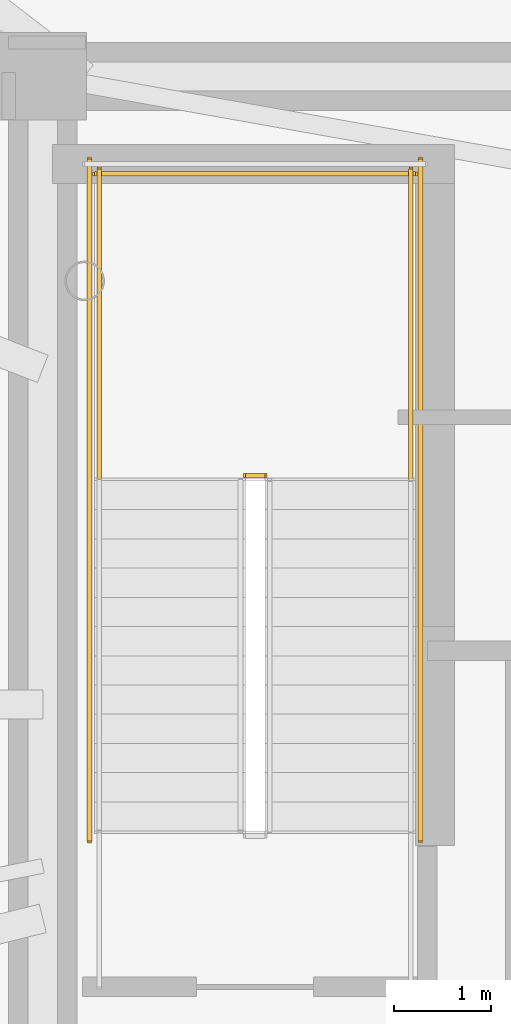
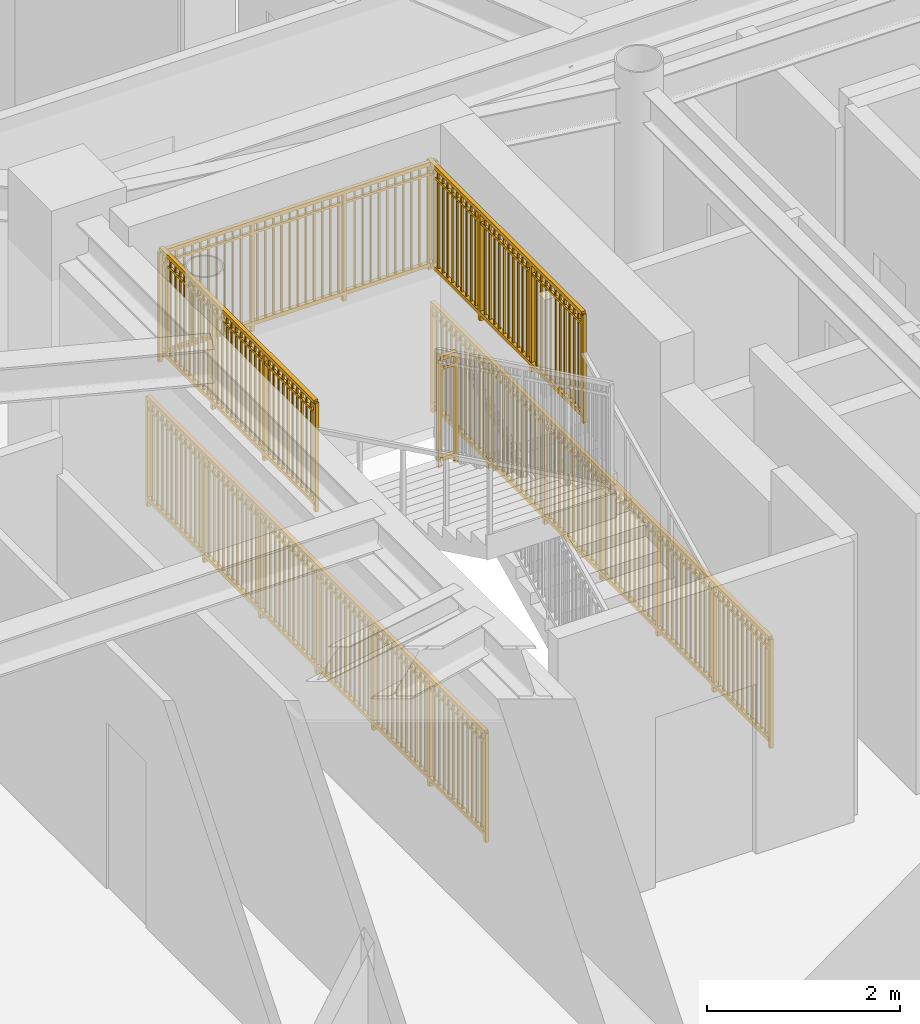
# One storey, part 15 of 17: 6 railings.
"""IFC4 building model written with IfcOpenShell, lengths in metres."""

import ifcopenshell
import ifcopenshell.guid

model = None  # the IFC model being written
_history = None  # IfcOwnerHistory: only IFC2X3 demands one
_inside = {}  # id of a spatial element -> (the spatial element, [elements in it])
_under = {}  # id of a project, library or spatial element -> (it, [spatial elements below it])
_declared = {}  # id of a project -> (the project, [libraries it declares])
_typed = {}  # id of a type object -> (the type object, [elements of that type])
_made_of = {}  # id of a material, layer set ... -> (it, [elements and type objects made of it])


def new_model(schema):
    """Start an empty IFC model of exactly this schema.

    Asked for "IFC4X3", IfcOpenShell would pick the latest addendum, in which some entities
    have other attributes; the version numbers below select the first issue.
    IFC2X3 requires an IfcOwnerHistory on every rooted entity: one is made here for all.
    """
    global model, _history
    if schema == "IFC4X3":
        model = ifcopenshell.file(schema_version=(4, 3, 0, 0))
    else:
        model = ifcopenshell.file(schema=schema)
    _inside.clear()
    _under.clear()
    _declared.clear()
    _typed.clear()
    _made_of.clear()
    _history = None
    if model.schema == "IFC2X3":
        org = make("IfcOrganization", Name="unknown")
        user = make(
            "IfcPersonAndOrganization",
            ThePerson=make("IfcPerson", FamilyName="unknown"),
            TheOrganization=org,
        )
        app = make(
            "IfcApplication",
            ApplicationDeveloper=org,
            Version="unknown",
            ApplicationFullName="unknown",
            ApplicationIdentifier="unknown",
        )
        _history = make(
            "IfcOwnerHistory",
            OwningUser=user,
            OwningApplication=app,
            ChangeAction="ADDED",
            CreationDate=0,
        )
    return model


def make(cls, **values):
    """One entity of the class cls with the attributes given. An attribute that is None is left unset."""
    return model.create_entity(
        cls, **{name: value for name, value in values.items() if value is not None}
    )


def rooted(cls, **values):
    """An entity with a GlobalId (a new one), such as an element, a storey or a relation."""
    return make(cls, GlobalId=ifcopenshell.guid.new(), OwnerHistory=_history, **values)


def si_unit(unit_type, name, prefix=None):
    """IfcSIUnit, for example si_unit("LENGTHUNIT", "METRE", prefix="MILLI")."""
    return make("IfcSIUnit", UnitType=unit_type, Prefix=prefix, Name=name)


def assignment(units):
    """IfcUnitAssignment: the units of a project."""
    return None if units is None else make("IfcUnitAssignment", Units=units)


def point(xyz):
    """IfcCartesianPoint."""
    return None if xyz is None else make("IfcCartesianPoint", Coordinates=xyz)


def direction(xyz):
    """IfcDirection."""
    return None if xyz is None else make("IfcDirection", DirectionRatios=xyz)


def frame(location, z_axis=None, x_axis=None):
    """IfcAxis2Placement3D, a coordinate frame: its origin and axes. An axis left out is left unset."""
    return make(
        "IfcAxis2Placement3D",
        Location=point(location),
        Axis=direction(z_axis),
        RefDirection=direction(x_axis),
    )


def frame_2d(location, x_axis=None):
    """IfcAxis2Placement2D, a coordinate frame in the plane: its origin and x axis."""
    return make(
        "IfcAxis2Placement2D", Location=point(location), RefDirection=direction(x_axis)
    )


def origin():
    """The frame at (0, 0, 0) with its axes left unset."""
    return frame((0.0, 0.0, 0.0))


def origin_2d():
    """The frame at (0, 0) in the plane with its x axis left unset."""
    return frame_2d((0.0, 0.0))


def place(relative_to, where):
    """IfcLocalPlacement: puts the frame where relative to a parent placement (None: the world)."""
    return make(
        "IfcLocalPlacement", PlacementRelTo=relative_to, RelativePlacement=where
    )


def context(
    kind, dimensions, precision=None, world=None, true_north=None, identifier=None
):
    """IfcGeometricRepresentationContext, for example the 3D "Model" context."""
    return make(
        "IfcGeometricRepresentationContext",
        ContextIdentifier=identifier,
        ContextType=kind,
        CoordinateSpaceDimension=dimensions,
        Precision=precision,
        WorldCoordinateSystem=world,
        TrueNorth=true_north,
    )


def subcontext(parent, identifier, kind, view, scale=None):
    """IfcGeometricRepresentationSubContext, for example "Body" below "Model"."""
    return make(
        "IfcGeometricRepresentationSubContext",
        ContextIdentifier=identifier,
        ContextType=kind,
        ParentContext=parent,
        TargetScale=scale,
        TargetView=view,
    )


def project(units=None, contexts=None):
    """IfcProject with its units and contexts."""
    return rooted(
        "IfcProject",
        Name="project",
        RepresentationContexts=contexts,
        UnitsInContext=assignment(units),
    )


def spatial(cls, under=None, at=None, **own):
    """A site, building, storey or space (cls), placed at a placement, below another one or the project."""
    s = rooted(cls, ObjectPlacement=at, **own)
    if under is not None:
        _under.setdefault(under.id(), (under, []))[1].append(s)
    return s


def profile(cls, at=None, kind="AREA", **sizes):
    """A parametric profile (cls). Its sizes go by their IFC names, for example OverallWidth=200.0."""
    return make(cls, ProfileType=kind, Position=at, **sizes)


def rectangle(**sizes):
    """IfcRectangleProfileDef."""
    return profile("IfcRectangleProfileDef", **sizes)


def extrude(swept, where, along, depth):
    """IfcExtrudedAreaSolid: the profile swept, set in the frame where, extruded along a direction by depth."""
    return make(
        "IfcExtrudedAreaSolid",
        SweptArea=swept,
        Position=where,
        ExtrudedDirection=direction(along),
        Depth=depth,
    )


def shape(context_of_items, identifier, shape_type, items):
    """IfcShapeRepresentation: the items that make up one representation, for example the "Body"."""
    return make(
        "IfcShapeRepresentation",
        ContextOfItems=context_of_items,
        RepresentationIdentifier=identifier,
        RepresentationType=shape_type,
        Items=items,
    )


def source(mapping_origin, context_of_items, identifier, shape_type, items):
    """IfcRepresentationMap: a shape defined once, which mapped items show again and again."""
    return make(
        "IfcRepresentationMap",
        MappingOrigin=mapping_origin,
        MappedRepresentation=shape(context_of_items, identifier, shape_type, items),
    )


def transform(
    local_origin,
    x_axis=None,
    y_axis=None,
    z_axis=None,
    scale=None,
    scale2=None,
    scale3=None,
    uniform=True,
):
    """IfcCartesianTransformationOperator3D, or its non-uniform kind. x_axis, y_axis, z_axis: its Axis1, 2, 3."""
    if uniform:
        return make(
            "IfcCartesianTransformationOperator3D",
            Axis1=direction(x_axis),
            Axis2=direction(y_axis),
            LocalOrigin=point(local_origin),
            Scale=scale,
            Axis3=direction(z_axis),
        )
    return make(
        "IfcCartesianTransformationOperator3DnonUniform",
        Axis1=direction(x_axis),
        Axis2=direction(y_axis),
        LocalOrigin=point(local_origin),
        Scale=scale,
        Axis3=direction(z_axis),
        Scale2=scale2,
        Scale3=scale3,
    )


def mapped(mapping_source, mapping_target):
    """IfcMappedItem: shows the shape of a source again, moved by a transform."""
    return make(
        "IfcMappedItem", MappingSource=mapping_source, MappingTarget=mapping_target
    )


def material(Name=None, Category=None):
    """IfcMaterial."""
    return make("IfcMaterial", Name=Name, Category=Category)


def made_of(thing, what):
    """Note that an element or type object is made of a material, layer set ...; save() writes the relation."""
    if what is not None:
        _made_of.setdefault(what.id(), (what, []))[1].append(thing)
    return thing


def type_object(cls, material=None, **own):
    """A type object (cls), such as IfcWallType, which elements share."""
    return made_of(rooted(cls, **own), material)


def element(
    cls,
    number,
    at=None,
    inside=None,
    cuts=None,
    type_object=None,
    material=None,
    context=None,
    identifier="Body",
    shape_type=None,
    held_by="IfcProductDefinitionShape",
    body=None,
    shapes=None,
    **own,
):
    """One element of the class cls, such as IfcWall. Its Tag is "e" and its number.

    at: its placement. inside: the storey or other place that contains it. cuts: it is an
    opening in that element (IfcRelVoidsElement). A single representation is given by context,
    identifier, shape_type and body (its items); several are given by shapes. held_by: the class
    of the entity that holds the representations. save() writes the other relations.
    """
    e = rooted(cls, Tag="e%d" % number, ObjectPlacement=at, **own)
    if body is not None:
        shapes = [shape(context, identifier, shape_type, body)]
    if shapes is not None:
        e.Representation = make(held_by, Representations=shapes)
    if inside is not None:
        _inside.setdefault(inside.id(), (inside, []))[1].append(e)
    if cuts is not None:
        rooted(
            "IfcRelVoidsElement", RelatingBuildingElement=cuts, RelatedOpeningElement=e
        )
    if type_object is not None:
        _typed.setdefault(type_object.id(), (type_object, []))[1].append(e)
    return made_of(e, material)


def aggregate(whole, parts):
    """IfcRelAggregates: a whole, such as a stair, and the parts it consists of."""
    return rooted("IfcRelAggregates", RelatingObject=whole, RelatedObjects=parts)


def save(model, path):
    """Write the relations noted so far, then the file.

    IfcRelAggregates (storeys below a building ...), IfcRelContainedInSpatialStructure (elements
    in a storey), IfcRelDefinesByType, IfcRelAssociatesMaterial and IfcRelDeclares: one each for
    every whole, place, type object, material and project.
    """
    for whole, parts in _under.values():
        aggregate(whole, parts)
    for where, things in _inside.values():
        rooted(
            "IfcRelContainedInSpatialStructure",
            RelatedElements=things,
            RelatingStructure=where,
        )
    for kind, things in _typed.values():
        rooted("IfcRelDefinesByType", RelatedObjects=things, RelatingType=kind)
    for what, things in _made_of.values():
        rooted("IfcRelAssociatesMaterial", RelatedObjects=things, RelatingMaterial=what)
    for by, libraries in _declared.values():
        rooted("IfcRelDeclares", RelatingContext=by, RelatedDefinitions=libraries)
    model.write(path)


model = new_model("IFC4")

# Units and contexts
model_context = context("Model", 3, precision=1e-05, world=origin(), true_north=direction((0.0, 1.0)))
body_context = subcontext(model_context, "Body", "Model", "MODEL_VIEW")
ifc_project = project(units=[si_unit("LENGTHUNIT", "METRE"), si_unit("AREAUNIT", "SQUARE_METRE"), si_unit("VOLUMEUNIT", "CUBIC_METRE"), si_unit("PLANEANGLEUNIT", "RADIAN"), si_unit("MASSUNIT", "GRAM", prefix="KILO")], contexts=[model_context])

# Site, building, storey
site_placement = place(None, origin())
site = spatial("IfcSite", under=ifc_project, at=site_placement, CompositionType="ELEMENT")
building_placement = place(site_placement, origin())
building = spatial("IfcBuilding", under=site, at=building_placement, Name="Linh Dai School and Residence Tower", CompositionType="ELEMENT")
storey_placement = place(building_placement, frame((0.0, 0.0, 335.39990234375)))
storey = spatial("IfcBuildingStorey", under=building, at=storey_placement, Name="L83", CompositionType="ELEMENT", Elevation=335.39990234375)

# Railings
ifc_material = material(Name="Structural Steel S355JR", Category="steel")
railing_type = type_object("IfcRailingType", Name="RL-ST-GUARD-1400", PredefinedType="GUARDRAIL", material=ifc_material)
shared_shape_1 = source(origin(), body_context, "Body", "SweptSolid", [
    extrude(rectangle(XDim=0.048095703125, YDim=0.048095703125, at=origin_2d()), frame((0.0, 0.0, 1.3759765625), z_axis=(-1.0, 0.0, 0.0), x_axis=(0.0, -1.0, 0.0)), (0.0, 0.0, 1.0), 0.199951171875),
    extrude(rectangle(XDim=0.048095703125, YDim=0.048095703125, at=origin_2d()), frame((0.0, 0.0, 0.10009765625), z_axis=(-1.0, 0.0, 0.0), x_axis=(0.0, -1.0, 0.0)), (0.0, 0.0, 1.0), 0.199951171875),
    extrude(rectangle(XDim=0.030029296875, YDim=0.030029296875, at=origin_2d()), frame((0.0, 0.0, 1.239990234375), z_axis=(-1.0, 0.0, 0.0), x_axis=(0.0, -1.0, 0.0)), (0.0, 0.0, 1.0), 0.199951171875),
    extrude(rectangle(XDim=0.0419921875, YDim=0.0419921875, at=origin_2d()), origin(), (0.0, 0.0, 1.0), 1.3759765625),
    extrude(rectangle(XDim=0.0419921875, YDim=0.0419921875, at=origin_2d()), frame((-0.199951171875, 0.0, 0.0)), (0.0, 0.0, 1.0), 1.3759765625),
])
railing_1_placement = place(storey_placement, frame((29.429931640625, 29.35009765625, 1.900146484375)))
element("IfcRailing", 1, at=railing_1_placement, inside=storey, type_object=railing_type, Name="L83 ST1 stair guard 2", PredefinedType="GUARDRAIL", context=body_context, shape_type="MappedRepresentation", body=[
    mapped(shared_shape_1, transform((0.0, 0.0, 0.0), x_axis=(1.0, 0.0, 0.0), y_axis=(0.0, 1.0, 0.0), z_axis=(0.0, 0.0, 1.0), scale=1.0)),
])
shared_shape_2 = source(origin(), body_context, "Body", "SweptSolid", [
    extrude(rectangle(XDim=0.048095703125, YDim=0.048095703125, at=origin_2d()), frame((0.0, 0.0, 1.3759765625), z_axis=(-1.0, 0.0, 0.0), x_axis=(0.0, -1.0, 0.0)), (0.0, 0.0, 1.0), 3.300048828125),
    extrude(rectangle(XDim=0.048095703125, YDim=0.048095703125, at=origin_2d()), frame((0.0, 0.0, 0.10009765625), z_axis=(-1.0, 0.0, 0.0), x_axis=(0.0, -1.0, 0.0)), (0.0, 0.0, 1.0), 3.300048828125),
    extrude(rectangle(XDim=0.030029296875, YDim=0.030029296875, at=origin_2d()), frame((0.0, 0.0, 1.239990234375), z_axis=(-1.0, 0.0, 0.0), x_axis=(0.0, -1.0, 0.0)), (0.0, 0.0, 1.0), 3.300048828125),
    extrude(rectangle(XDim=0.02001953125, YDim=0.02001953125, at=origin_2d()), frame((-0.09716796875, 0.0, 0.10009765625)), (0.0, 0.0, 1.0), 1.251708984375),
    extrude(rectangle(XDim=0.02001953125, YDim=0.02001953125, at=origin_2d()), frame((-0.194091796875, 0.0, 0.10009765625)), (0.0, 0.0, 1.0), 1.251708984375),
    extrude(rectangle(XDim=0.02001953125, YDim=0.02001953125, at=origin_2d()), frame((-0.291259765625, 0.0, 0.10009765625)), (0.0, 0.0, 1.0), 1.251708984375),
    extrude(rectangle(XDim=0.02001953125, YDim=0.02001953125, at=origin_2d()), frame((-0.38818359375, 0.0, 0.10009765625)), (0.0, 0.0, 1.0), 1.251708984375),
    extrude(rectangle(XDim=0.02001953125, YDim=0.02001953125, at=origin_2d()), frame((-0.4853515625, 0.0, 0.10009765625)), (0.0, 0.0, 1.0), 1.251708984375),
    extrude(rectangle(XDim=0.02001953125, YDim=0.02001953125, at=origin_2d()), frame((-0.582275390625, 0.0, 0.10009765625)), (0.0, 0.0, 1.0), 1.251708984375),
    extrude(rectangle(XDim=0.02001953125, YDim=0.02001953125, at=origin_2d()), frame((-0.679443359375, 0.0, 0.10009765625)), (0.0, 0.0, 1.0), 1.251708984375),
    extrude(rectangle(XDim=0.02001953125, YDim=0.02001953125, at=origin_2d()), frame((-0.7763671875, 0.0, 0.10009765625)), (0.0, 0.0, 1.0), 1.251708984375),
    extrude(rectangle(XDim=0.02001953125, YDim=0.02001953125, at=origin_2d()), frame((-0.87353515625, 0.0, 0.10009765625)), (0.0, 0.0, 1.0), 1.251708984375),
    extrude(rectangle(XDim=0.02001953125, YDim=0.02001953125, at=origin_2d()), frame((-0.970703125, 0.0, 0.10009765625)), (0.0, 0.0, 1.0), 1.251708984375),
    extrude(rectangle(XDim=0.02001953125, YDim=0.02001953125, at=origin_2d()), frame((-1.164794921875, 0.0, 0.10009765625)), (0.0, 0.0, 1.0), 1.251708984375),
    extrude(rectangle(XDim=0.02001953125, YDim=0.02001953125, at=origin_2d()), frame((-1.26171875, 0.0, 0.10009765625)), (0.0, 0.0, 1.0), 1.251708984375),
    extrude(rectangle(XDim=0.02001953125, YDim=0.02001953125, at=origin_2d()), frame((-1.35888671875, 0.0, 0.10009765625)), (0.0, 0.0, 1.0), 1.251708984375),
    extrude(rectangle(XDim=0.02001953125, YDim=0.02001953125, at=origin_2d()), frame((-1.455810546875, 0.0, 0.10009765625)), (0.0, 0.0, 1.0), 1.251708984375),
    extrude(rectangle(XDim=0.02001953125, YDim=0.02001953125, at=origin_2d()), frame((-1.552978515625, 0.0, 0.10009765625)), (0.0, 0.0, 1.0), 1.251708984375),
    extrude(rectangle(XDim=0.02001953125, YDim=0.02001953125, at=origin_2d()), frame((-1.64990234375, 0.0, 0.10009765625)), (0.0, 0.0, 1.0), 1.251708984375),
    extrude(rectangle(XDim=0.02001953125, YDim=0.02001953125, at=origin_2d()), frame((-1.7470703125, 0.0, 0.10009765625)), (0.0, 0.0, 1.0), 1.251708984375),
    extrude(rectangle(XDim=0.02001953125, YDim=0.02001953125, at=origin_2d()), frame((-1.84423828125, 0.0, 0.10009765625)), (0.0, 0.0, 1.0), 1.251708984375),
    extrude(rectangle(XDim=0.02001953125, YDim=0.02001953125, at=origin_2d()), frame((-1.941162109375, 0.0, 0.10009765625)), (0.0, 0.0, 1.0), 1.251708984375),
    extrude(rectangle(XDim=0.02001953125, YDim=0.02001953125, at=origin_2d()), frame((-2.038330078125, 0.0, 0.10009765625)), (0.0, 0.0, 1.0), 1.251708984375),
    extrude(rectangle(XDim=0.02001953125, YDim=0.02001953125, at=origin_2d()), frame((-2.13525390625, 0.0, 0.10009765625)), (0.0, 0.0, 1.0), 1.251708984375),
    extrude(rectangle(XDim=0.02001953125, YDim=0.02001953125, at=origin_2d()), frame((-2.329345703125, 0.0, 0.10009765625)), (0.0, 0.0, 1.0), 1.251708984375),
    extrude(rectangle(XDim=0.02001953125, YDim=0.02001953125, at=origin_2d()), frame((-2.426513671875, 0.0, 0.10009765625)), (0.0, 0.0, 1.0), 1.251708984375),
    extrude(rectangle(XDim=0.02001953125, YDim=0.02001953125, at=origin_2d()), frame((-2.523681640625, 0.0, 0.10009765625)), (0.0, 0.0, 1.0), 1.251708984375),
    extrude(rectangle(XDim=0.02001953125, YDim=0.02001953125, at=origin_2d()), frame((-2.62060546875, 0.0, 0.10009765625)), (0.0, 0.0, 1.0), 1.251708984375),
    extrude(rectangle(XDim=0.02001953125, YDim=0.02001953125, at=origin_2d()), frame((-2.7177734375, 0.0, 0.10009765625)), (0.0, 0.0, 1.0), 1.251708984375),
    extrude(rectangle(XDim=0.02001953125, YDim=0.02001953125, at=origin_2d()), frame((-2.814697265625, 0.0, 0.10009765625)), (0.0, 0.0, 1.0), 1.251708984375),
    extrude(rectangle(XDim=0.02001953125, YDim=0.02001953125, at=origin_2d()), frame((-2.911865234375, 0.0, 0.10009765625)), (0.0, 0.0, 1.0), 1.251708984375),
    extrude(rectangle(XDim=0.02001953125, YDim=0.02001953125, at=origin_2d()), frame((-3.0087890625, 0.0, 0.10009765625)), (0.0, 0.0, 1.0), 1.251708984375),
    extrude(rectangle(XDim=0.02001953125, YDim=0.02001953125, at=origin_2d()), frame((-3.10595703125, 0.0, 0.10009765625)), (0.0, 0.0, 1.0), 1.251708984375),
    extrude(rectangle(XDim=0.02001953125, YDim=0.02001953125, at=origin_2d()), frame((-3.202880859375, 0.0, 0.10009765625)), (0.0, 0.0, 1.0), 1.251708984375),
    extrude(rectangle(XDim=0.0419921875, YDim=0.0419921875, at=origin_2d()), origin(), (0.0, 0.0, 1.0), 1.3759765625),
    extrude(rectangle(XDim=0.0419921875, YDim=0.0419921875, at=origin_2d()), frame((-1.10009765625, 0.0, 0.0)), (0.0, 0.0, 1.0), 1.3759765625),
    extrude(rectangle(XDim=0.0419921875, YDim=0.0419921875, at=origin_2d()), frame((-2.199951171875, 0.0, 0.0)), (0.0, 0.0, 1.0), 1.3759765625),
    extrude(rectangle(XDim=0.0419921875, YDim=0.0419921875, at=origin_2d()), frame((-3.300048828125, 0.0, 0.0)), (0.0, 0.0, 1.0), 1.3759765625),
])
railing_2_placement = place(storey_placement, frame((30.97998046875, 32.449951171875, 1.900146484375)))
element("IfcRailing", 2, at=railing_2_placement, inside=storey, type_object=railing_type, Name="L83 ST1 stair guard 5", PredefinedType="GUARDRAIL", context=body_context, shape_type="MappedRepresentation", body=[
    mapped(shared_shape_2, transform((0.0, 0.0, 0.0), x_axis=(1.0, 0.0, 0.0), y_axis=(0.0, 1.0, 0.0), z_axis=(0.0, 0.0, 1.0), scale=1.0)),
])
shared_shape_3 = source(origin(), body_context, "Body", "SweptSolid", [
    extrude(rectangle(XDim=0.048095703125, YDim=0.048095703125, at=origin_2d()), frame((0.0, 0.0, 1.3759765625), z_axis=(0.0, 1.0, 0.0), x_axis=(-1.0, 0.0, 0.0)), (0.0, 0.0, 1.0), 7.0),
    extrude(rectangle(XDim=0.048095703125, YDim=0.048095703125, at=origin_2d()), frame((0.0, 0.0, 0.10009765625), z_axis=(0.0, 1.0, 0.0), x_axis=(-1.0, 0.0, 0.0)), (0.0, 0.0, 1.0), 7.0),
    extrude(rectangle(XDim=0.030029296875, YDim=0.030029296875, at=origin_2d()), frame((0.0, 0.0, 1.239990234375), z_axis=(0.0, 1.0, 0.0), x_axis=(-1.0, 0.0, 0.0)), (0.0, 0.0, 1.0), 7.0),
    extrude(rectangle(XDim=0.02001953125, YDim=0.02001953125, at=origin_2d()), frame((0.0, 0.09716796875, 0.10009765625)), (0.0, 0.0, 1.0), 1.251708984375),
    extrude(rectangle(XDim=0.02001953125, YDim=0.02001953125, at=origin_2d()), frame((0.0, 0.1943359375, 0.10009765625)), (0.0, 0.0, 1.0), 1.251708984375),
    extrude(rectangle(XDim=0.02001953125, YDim=0.02001953125, at=origin_2d()), frame((0.0, 0.291748046875, 0.10009765625)), (0.0, 0.0, 1.0), 1.251708984375),
    extrude(rectangle(XDim=0.02001953125, YDim=0.02001953125, at=origin_2d()), frame((0.0, 0.388916015625, 0.10009765625)), (0.0, 0.0, 1.0), 1.251708984375),
    extrude(rectangle(XDim=0.02001953125, YDim=0.02001953125, at=origin_2d()), frame((0.0, 0.486083984375, 0.10009765625)), (0.0, 0.0, 1.0), 1.251708984375),
    extrude(rectangle(XDim=0.02001953125, YDim=0.02001953125, at=origin_2d()), frame((0.0, 0.583251953125, 0.10009765625)), (0.0, 0.0, 1.0), 1.251708984375),
    extrude(rectangle(XDim=0.02001953125, YDim=0.02001953125, at=origin_2d()), frame((0.0, 0.6806640625, 0.10009765625)), (0.0, 0.0, 1.0), 1.251708984375),
    extrude(rectangle(XDim=0.02001953125, YDim=0.02001953125, at=origin_2d()), frame((0.0, 0.77783203125, 0.10009765625)), (0.0, 0.0, 1.0), 1.251708984375),
    extrude(rectangle(XDim=0.02001953125, YDim=0.02001953125, at=origin_2d()), frame((0.0, 0.875, 0.10009765625)), (0.0, 0.0, 1.0), 1.251708984375),
    extrude(rectangle(XDim=0.02001953125, YDim=0.02001953125, at=origin_2d()), frame((0.0, 0.97216796875, 0.10009765625)), (0.0, 0.0, 1.0), 1.251708984375),
    extrude(rectangle(XDim=0.02001953125, YDim=0.02001953125, at=origin_2d()), frame((0.0, 1.0693359375, 0.10009765625)), (0.0, 0.0, 1.0), 1.251708984375),
    extrude(rectangle(XDim=0.02001953125, YDim=0.02001953125, at=origin_2d()), frame((0.0, 1.263916015625, 0.10009765625)), (0.0, 0.0, 1.0), 1.251708984375),
    extrude(rectangle(XDim=0.02001953125, YDim=0.02001953125, at=origin_2d()), frame((0.0, 1.361083984375, 0.10009765625)), (0.0, 0.0, 1.0), 1.251708984375),
    extrude(rectangle(XDim=0.02001953125, YDim=0.02001953125, at=origin_2d()), frame((0.0, 1.458251953125, 0.10009765625)), (0.0, 0.0, 1.0), 1.251708984375),
    extrude(rectangle(XDim=0.02001953125, YDim=0.02001953125, at=origin_2d()), frame((0.0, 1.5556640625, 0.10009765625)), (0.0, 0.0, 1.0), 1.251708984375),
    extrude(rectangle(XDim=0.02001953125, YDim=0.02001953125, at=origin_2d()), frame((0.0, 1.65283203125, 0.10009765625)), (0.0, 0.0, 1.0), 1.251708984375),
    extrude(rectangle(XDim=0.02001953125, YDim=0.02001953125, at=origin_2d()), frame((0.0, 1.75, 0.10009765625)), (0.0, 0.0, 1.0), 1.251708984375),
    extrude(rectangle(XDim=0.02001953125, YDim=0.02001953125, at=origin_2d()), frame((0.0, 1.84716796875, 0.10009765625)), (0.0, 0.0, 1.0), 1.251708984375),
    extrude(rectangle(XDim=0.02001953125, YDim=0.02001953125, at=origin_2d()), frame((0.0, 1.9443359375, 0.10009765625)), (0.0, 0.0, 1.0), 1.251708984375),
    extrude(rectangle(XDim=0.02001953125, YDim=0.02001953125, at=origin_2d()), frame((0.0, 2.041748046875, 0.10009765625)), (0.0, 0.0, 1.0), 1.251708984375),
    extrude(rectangle(XDim=0.02001953125, YDim=0.02001953125, at=origin_2d()), frame((0.0, 2.138916015625, 0.10009765625)), (0.0, 0.0, 1.0), 1.251708984375),
    extrude(rectangle(XDim=0.02001953125, YDim=0.02001953125, at=origin_2d()), frame((0.0, 2.236083984375, 0.10009765625)), (0.0, 0.0, 1.0), 1.251708984375),
    extrude(rectangle(XDim=0.02001953125, YDim=0.02001953125, at=origin_2d()), frame((0.0, 2.4306640625, 0.10009765625)), (0.0, 0.0, 1.0), 1.251708984375),
    extrude(rectangle(XDim=0.02001953125, YDim=0.02001953125, at=origin_2d()), frame((0.0, 2.52783203125, 0.10009765625)), (0.0, 0.0, 1.0), 1.251708984375),
    extrude(rectangle(XDim=0.02001953125, YDim=0.02001953125, at=origin_2d()), frame((0.0, 2.625, 0.10009765625)), (0.0, 0.0, 1.0), 1.251708984375),
    extrude(rectangle(XDim=0.02001953125, YDim=0.02001953125, at=origin_2d()), frame((0.0, 2.72216796875, 0.10009765625)), (0.0, 0.0, 1.0), 1.251708984375),
    extrude(rectangle(XDim=0.02001953125, YDim=0.02001953125, at=origin_2d()), frame((0.0, 2.8193359375, 0.10009765625)), (0.0, 0.0, 1.0), 1.251708984375),
    extrude(rectangle(XDim=0.02001953125, YDim=0.02001953125, at=origin_2d()), frame((0.0, 2.916748046875, 0.10009765625)), (0.0, 0.0, 1.0), 1.251708984375),
    extrude(rectangle(XDim=0.02001953125, YDim=0.02001953125, at=origin_2d()), frame((0.0, 3.013916015625, 0.10009765625)), (0.0, 0.0, 1.0), 1.251708984375),
    extrude(rectangle(XDim=0.02001953125, YDim=0.02001953125, at=origin_2d()), frame((0.0, 3.111083984375, 0.10009765625)), (0.0, 0.0, 1.0), 1.251708984375),
    extrude(rectangle(XDim=0.02001953125, YDim=0.02001953125, at=origin_2d()), frame((0.0, 3.208251953125, 0.10009765625)), (0.0, 0.0, 1.0), 1.251708984375),
    extrude(rectangle(XDim=0.02001953125, YDim=0.02001953125, at=origin_2d()), frame((0.0, 3.3056640625, 0.10009765625)), (0.0, 0.0, 1.0), 1.251708984375),
    extrude(rectangle(XDim=0.02001953125, YDim=0.02001953125, at=origin_2d()), frame((0.0, 3.40283203125, 0.10009765625)), (0.0, 0.0, 1.0), 1.251708984375),
    extrude(rectangle(XDim=0.02001953125, YDim=0.02001953125, at=origin_2d()), frame((0.0, 3.59716796875, 0.10009765625)), (0.0, 0.0, 1.0), 1.251708984375),
    extrude(rectangle(XDim=0.02001953125, YDim=0.02001953125, at=origin_2d()), frame((0.0, 3.6943359375, 0.10009765625)), (0.0, 0.0, 1.0), 1.251708984375),
    extrude(rectangle(XDim=0.02001953125, YDim=0.02001953125, at=origin_2d()), frame((0.0, 3.791748046875, 0.10009765625)), (0.0, 0.0, 1.0), 1.251708984375),
    extrude(rectangle(XDim=0.02001953125, YDim=0.02001953125, at=origin_2d()), frame((0.0, 3.888916015625, 0.10009765625)), (0.0, 0.0, 1.0), 1.251708984375),
    extrude(rectangle(XDim=0.02001953125, YDim=0.02001953125, at=origin_2d()), frame((0.0, 3.986083984375, 0.10009765625)), (0.0, 0.0, 1.0), 1.251708984375),
    extrude(rectangle(XDim=0.02001953125, YDim=0.02001953125, at=origin_2d()), frame((0.0, 4.083251953125, 0.10009765625)), (0.0, 0.0, 1.0), 1.251708984375),
    extrude(rectangle(XDim=0.02001953125, YDim=0.02001953125, at=origin_2d()), frame((0.0, 4.1806640625, 0.10009765625)), (0.0, 0.0, 1.0), 1.251708984375),
    extrude(rectangle(XDim=0.02001953125, YDim=0.02001953125, at=origin_2d()), frame((0.0, 4.27783203125, 0.10009765625)), (0.0, 0.0, 1.0), 1.251708984375),
    extrude(rectangle(XDim=0.02001953125, YDim=0.02001953125, at=origin_2d()), frame((0.0, 4.375, 0.10009765625)), (0.0, 0.0, 1.0), 1.251708984375),
    extrude(rectangle(XDim=0.02001953125, YDim=0.02001953125, at=origin_2d()), frame((0.0, 4.47216796875, 0.10009765625)), (0.0, 0.0, 1.0), 1.251708984375),
    extrude(rectangle(XDim=0.02001953125, YDim=0.02001953125, at=origin_2d()), frame((0.0, 4.5693359375, 0.10009765625)), (0.0, 0.0, 1.0), 1.251708984375),
    extrude(rectangle(XDim=0.02001953125, YDim=0.02001953125, at=origin_2d()), frame((0.0, 4.763916015625, 0.10009765625)), (0.0, 0.0, 1.0), 1.251708984375),
    extrude(rectangle(XDim=0.02001953125, YDim=0.02001953125, at=origin_2d()), frame((0.0, 4.861083984375, 0.10009765625)), (0.0, 0.0, 1.0), 1.251708984375),
    extrude(rectangle(XDim=0.02001953125, YDim=0.02001953125, at=origin_2d()), frame((0.0, 4.958251953125, 0.10009765625)), (0.0, 0.0, 1.0), 1.251708984375),
    extrude(rectangle(XDim=0.02001953125, YDim=0.02001953125, at=origin_2d()), frame((0.0, 5.0556640625, 0.10009765625)), (0.0, 0.0, 1.0), 1.251708984375),
    extrude(rectangle(XDim=0.02001953125, YDim=0.02001953125, at=origin_2d()), frame((0.0, 5.15283203125, 0.10009765625)), (0.0, 0.0, 1.0), 1.251708984375),
    extrude(rectangle(XDim=0.02001953125, YDim=0.02001953125, at=origin_2d()), frame((0.0, 5.25, 0.10009765625)), (0.0, 0.0, 1.0), 1.251708984375),
    extrude(rectangle(XDim=0.02001953125, YDim=0.02001953125, at=origin_2d()), frame((0.0, 5.34716796875, 0.10009765625)), (0.0, 0.0, 1.0), 1.251708984375),
    extrude(rectangle(XDim=0.02001953125, YDim=0.02001953125, at=origin_2d()), frame((0.0, 5.4443359375, 0.10009765625)), (0.0, 0.0, 1.0), 1.251708984375),
    extrude(rectangle(XDim=0.02001953125, YDim=0.02001953125, at=origin_2d()), frame((0.0, 5.541748046875, 0.10009765625)), (0.0, 0.0, 1.0), 1.251708984375),
    extrude(rectangle(XDim=0.02001953125, YDim=0.02001953125, at=origin_2d()), frame((0.0, 5.638916015625, 0.10009765625)), (0.0, 0.0, 1.0), 1.251708984375),
    extrude(rectangle(XDim=0.02001953125, YDim=0.02001953125, at=origin_2d()), frame((0.0, 5.736083984375, 0.10009765625)), (0.0, 0.0, 1.0), 1.251708984375),
    extrude(rectangle(XDim=0.02001953125, YDim=0.02001953125, at=origin_2d()), frame((0.0, 5.9306640625, 0.10009765625)), (0.0, 0.0, 1.0), 1.251708984375),
    extrude(rectangle(XDim=0.02001953125, YDim=0.02001953125, at=origin_2d()), frame((0.0, 6.02783203125, 0.10009765625)), (0.0, 0.0, 1.0), 1.251708984375),
    extrude(rectangle(XDim=0.02001953125, YDim=0.02001953125, at=origin_2d()), frame((0.0, 6.125, 0.10009765625)), (0.0, 0.0, 1.0), 1.251708984375),
    extrude(rectangle(XDim=0.02001953125, YDim=0.02001953125, at=origin_2d()), frame((0.0, 6.22216796875, 0.10009765625)), (0.0, 0.0, 1.0), 1.251708984375),
    extrude(rectangle(XDim=0.02001953125, YDim=0.02001953125, at=origin_2d()), frame((0.0, 6.3193359375, 0.10009765625)), (0.0, 0.0, 1.0), 1.251708984375),
    extrude(rectangle(XDim=0.02001953125, YDim=0.02001953125, at=origin_2d()), frame((0.0, 6.416748046875, 0.10009765625)), (0.0, 0.0, 1.0), 1.251708984375),
    extrude(rectangle(XDim=0.02001953125, YDim=0.02001953125, at=origin_2d()), frame((0.0, 6.513916015625, 0.10009765625)), (0.0, 0.0, 1.0), 1.251708984375),
    extrude(rectangle(XDim=0.02001953125, YDim=0.02001953125, at=origin_2d()), frame((0.0, 6.611083984375, 0.10009765625)), (0.0, 0.0, 1.0), 1.251708984375),
    extrude(rectangle(XDim=0.02001953125, YDim=0.02001953125, at=origin_2d()), frame((0.0, 6.708251953125, 0.10009765625)), (0.0, 0.0, 1.0), 1.251708984375),
    extrude(rectangle(XDim=0.02001953125, YDim=0.02001953125, at=origin_2d()), frame((0.0, 6.8056640625, 0.10009765625)), (0.0, 0.0, 1.0), 1.251708984375),
    extrude(rectangle(XDim=0.02001953125, YDim=0.02001953125, at=origin_2d()), frame((0.0, 6.90283203125, 0.10009765625)), (0.0, 0.0, 1.0), 1.251708984375),
    extrude(rectangle(XDim=0.0419921875, YDim=0.0419921875, at=origin_2d()), origin(), (0.0, 0.0, 1.0), 1.3759765625),
    extrude(rectangle(XDim=0.0419921875, YDim=0.0419921875, at=origin_2d()), frame((0.0, 1.166748046875, 0.0)), (0.0, 0.0, 1.0), 1.3759765625),
    extrude(rectangle(XDim=0.0419921875, YDim=0.0419921875, at=origin_2d()), frame((0.0, 2.333251953125, 0.0)), (0.0, 0.0, 1.0), 1.3759765625),
    extrude(rectangle(XDim=0.0419921875, YDim=0.0419921875, at=origin_2d()), frame((0.0, 3.5, 0.0)), (0.0, 0.0, 1.0), 1.3759765625),
    extrude(rectangle(XDim=0.0419921875, YDim=0.0419921875, at=origin_2d()), frame((0.0, 4.666748046875, 0.0)), (0.0, 0.0, 1.0), 1.3759765625),
    extrude(rectangle(XDim=0.0419921875, YDim=0.0419921875, at=origin_2d()), frame((0.0, 5.833251953125, 0.0)), (0.0, 0.0, 1.0), 1.3759765625),
    extrude(rectangle(XDim=0.0419921875, YDim=0.0419921875, at=origin_2d()), frame((0.0, 7.0, 0.0)), (0.0, 0.0, 1.0), 1.3759765625),
])
for number, where, name in (
    (3, (31.030029296875, 25.60009765625, 0.0), "L83 ST1 stair guard 10"),
    (4, (27.6298828125, 25.60009765625, 0.0), "L83 ST1 stair guard 11"),
):
    element("IfcRailing", number, at=place(storey_placement, frame(where)), inside=storey, type_object=railing_type, Name=name, PredefinedType="GUARDRAIL", context=body_context, shape_type="MappedRepresentation", body=[
        mapped(shared_shape_3, transform((0.0, 0.0, 0.0), x_axis=(1.0, 0.0, 0.0), y_axis=(0.0, 1.0, 0.0), z_axis=(0.0, 0.0, 1.0), scale=1.0)),
    ])
shared_shape_4 = source(origin(), body_context, "Body", "SweptSolid", [
    extrude(rectangle(XDim=0.048095703125, YDim=0.048095703125, at=origin_2d()), frame((0.0, 0.0, 1.3759765625), z_axis=(0.0, 1.0, 0.0), x_axis=(-1.0, 0.0, 0.0)), (0.0, 0.0, 1.0), 3.199951171875),
    extrude(rectangle(XDim=0.048095703125, YDim=0.048095703125, at=origin_2d()), frame((0.0, 0.0, 0.10009765625), z_axis=(0.0, 1.0, 0.0), x_axis=(-1.0, 0.0, 0.0)), (0.0, 0.0, 1.0), 3.199951171875),
    extrude(rectangle(XDim=0.030029296875, YDim=0.030029296875, at=origin_2d()), frame((0.0, 0.0, 1.239990234375), z_axis=(0.0, 1.0, 0.0), x_axis=(-1.0, 0.0, 0.0)), (0.0, 0.0, 1.0), 3.199951171875),
    extrude(rectangle(XDim=0.02001953125, YDim=0.02001953125, at=origin_2d()), frame((0.0, 0.096923828125, 0.10009765625)), (0.0, 0.0, 1.0), 1.251708984375),
    extrude(rectangle(XDim=0.02001953125, YDim=0.02001953125, at=origin_2d()), frame((0.0, 0.19384765625, 0.10009765625)), (0.0, 0.0, 1.0), 1.251708984375),
    extrude(rectangle(XDim=0.02001953125, YDim=0.02001953125, at=origin_2d()), frame((0.0, 0.291015625, 0.10009765625)), (0.0, 0.0, 1.0), 1.251708984375),
    extrude(rectangle(XDim=0.02001953125, YDim=0.02001953125, at=origin_2d()), frame((0.0, 0.387939453125, 0.10009765625)), (0.0, 0.0, 1.0), 1.251708984375),
    extrude(rectangle(XDim=0.02001953125, YDim=0.02001953125, at=origin_2d()), frame((0.0, 0.48486328125, 0.10009765625)), (0.0, 0.0, 1.0), 1.251708984375),
    extrude(rectangle(XDim=0.02001953125, YDim=0.02001953125, at=origin_2d()), frame((0.0, 0.581787109375, 0.10009765625)), (0.0, 0.0, 1.0), 1.251708984375),
    extrude(rectangle(XDim=0.02001953125, YDim=0.02001953125, at=origin_2d()), frame((0.0, 0.6787109375, 0.10009765625)), (0.0, 0.0, 1.0), 1.251708984375),
    extrude(rectangle(XDim=0.02001953125, YDim=0.02001953125, at=origin_2d()), frame((0.0, 0.775634765625, 0.10009765625)), (0.0, 0.0, 1.0), 1.251708984375),
    extrude(rectangle(XDim=0.02001953125, YDim=0.02001953125, at=origin_2d()), frame((0.0, 0.872802734375, 0.10009765625)), (0.0, 0.0, 1.0), 1.251708984375),
    extrude(rectangle(XDim=0.02001953125, YDim=0.02001953125, at=origin_2d()), frame((0.0, 0.9697265625, 0.10009765625)), (0.0, 0.0, 1.0), 1.251708984375),
    extrude(rectangle(XDim=0.02001953125, YDim=0.02001953125, at=origin_2d()), frame((0.0, 1.16357421875, 0.10009765625)), (0.0, 0.0, 1.0), 1.251708984375),
    extrude(rectangle(XDim=0.02001953125, YDim=0.02001953125, at=origin_2d()), frame((0.0, 1.260498046875, 0.10009765625)), (0.0, 0.0, 1.0), 1.251708984375),
    extrude(rectangle(XDim=0.02001953125, YDim=0.02001953125, at=origin_2d()), frame((0.0, 1.357666015625, 0.10009765625)), (0.0, 0.0, 1.0), 1.251708984375),
    extrude(rectangle(XDim=0.02001953125, YDim=0.02001953125, at=origin_2d()), frame((0.0, 1.45458984375, 0.10009765625)), (0.0, 0.0, 1.0), 1.251708984375),
    extrude(rectangle(XDim=0.02001953125, YDim=0.02001953125, at=origin_2d()), frame((0.0, 1.551513671875, 0.10009765625)), (0.0, 0.0, 1.0), 1.251708984375),
    extrude(rectangle(XDim=0.02001953125, YDim=0.02001953125, at=origin_2d()), frame((0.0, 1.6484375, 0.10009765625)), (0.0, 0.0, 1.0), 1.251708984375),
    extrude(rectangle(XDim=0.02001953125, YDim=0.02001953125, at=origin_2d()), frame((0.0, 1.745361328125, 0.10009765625)), (0.0, 0.0, 1.0), 1.251708984375),
    extrude(rectangle(XDim=0.02001953125, YDim=0.02001953125, at=origin_2d()), frame((0.0, 1.84228515625, 0.10009765625)), (0.0, 0.0, 1.0), 1.251708984375),
    extrude(rectangle(XDim=0.02001953125, YDim=0.02001953125, at=origin_2d()), frame((0.0, 1.939453125, 0.10009765625)), (0.0, 0.0, 1.0), 1.251708984375),
    extrude(rectangle(XDim=0.02001953125, YDim=0.02001953125, at=origin_2d()), frame((0.0, 2.036376953125, 0.10009765625)), (0.0, 0.0, 1.0), 1.251708984375),
    extrude(rectangle(XDim=0.02001953125, YDim=0.02001953125, at=origin_2d()), frame((0.0, 2.230224609375, 0.10009765625)), (0.0, 0.0, 1.0), 1.251708984375),
    extrude(rectangle(XDim=0.02001953125, YDim=0.02001953125, at=origin_2d()), frame((0.0, 2.3271484375, 0.10009765625)), (0.0, 0.0, 1.0), 1.251708984375),
    extrude(rectangle(XDim=0.02001953125, YDim=0.02001953125, at=origin_2d()), frame((0.0, 2.42431640625, 0.10009765625)), (0.0, 0.0, 1.0), 1.251708984375),
    extrude(rectangle(XDim=0.02001953125, YDim=0.02001953125, at=origin_2d()), frame((0.0, 2.521240234375, 0.10009765625)), (0.0, 0.0, 1.0), 1.251708984375),
    extrude(rectangle(XDim=0.02001953125, YDim=0.02001953125, at=origin_2d()), frame((0.0, 2.6181640625, 0.10009765625)), (0.0, 0.0, 1.0), 1.251708984375),
    extrude(rectangle(XDim=0.02001953125, YDim=0.02001953125, at=origin_2d()), frame((0.0, 2.715087890625, 0.10009765625)), (0.0, 0.0, 1.0), 1.251708984375),
    extrude(rectangle(XDim=0.02001953125, YDim=0.02001953125, at=origin_2d()), frame((0.0, 2.81201171875, 0.10009765625)), (0.0, 0.0, 1.0), 1.251708984375),
    extrude(rectangle(XDim=0.02001953125, YDim=0.02001953125, at=origin_2d()), frame((0.0, 2.908935546875, 0.10009765625)), (0.0, 0.0, 1.0), 1.251708984375),
    extrude(rectangle(XDim=0.02001953125, YDim=0.02001953125, at=origin_2d()), frame((0.0, 3.006103515625, 0.10009765625)), (0.0, 0.0, 1.0), 1.251708984375),
    extrude(rectangle(XDim=0.02001953125, YDim=0.02001953125, at=origin_2d()), frame((0.0, 3.10302734375, 0.10009765625)), (0.0, 0.0, 1.0), 1.251708984375),
    extrude(rectangle(XDim=0.0419921875, YDim=0.0419921875, at=origin_2d()), origin(), (0.0, 0.0, 1.0), 1.3759765625),
    extrude(rectangle(XDim=0.0419921875, YDim=0.0419921875, at=origin_2d()), frame((0.0, 1.066650390625, 0.0)), (0.0, 0.0, 1.0), 1.3759765625),
    extrude(rectangle(XDim=0.0419921875, YDim=0.0419921875, at=origin_2d()), frame((0.0, 2.13330078125, 0.0)), (0.0, 0.0, 1.0), 1.3759765625),
    extrude(rectangle(XDim=0.0419921875, YDim=0.0419921875, at=origin_2d()), frame((0.0, 3.199951171875, 0.0)), (0.0, 0.0, 1.0), 1.3759765625),
])
for number, where, name in (
    (5, (30.929931640625, 29.300048828125, 1.900146484375), "L83 ST1 stair guard 3"),
    (6, (27.72998046875, 29.300048828125, 1.900146484375), "L83 ST1 stair guard 4"),
):
    element("IfcRailing", number, at=place(storey_placement, frame(where)), inside=storey, type_object=railing_type, Name=name, PredefinedType="GUARDRAIL", context=body_context, shape_type="MappedRepresentation", body=[
        mapped(shared_shape_4, transform((0.0, 0.0, 0.0), x_axis=(1.0, 0.0, 0.0), y_axis=(0.0, 1.0, 0.0), z_axis=(0.0, 0.0, 1.0), scale=1.0)),
    ])

save(model, "model.ifc")
